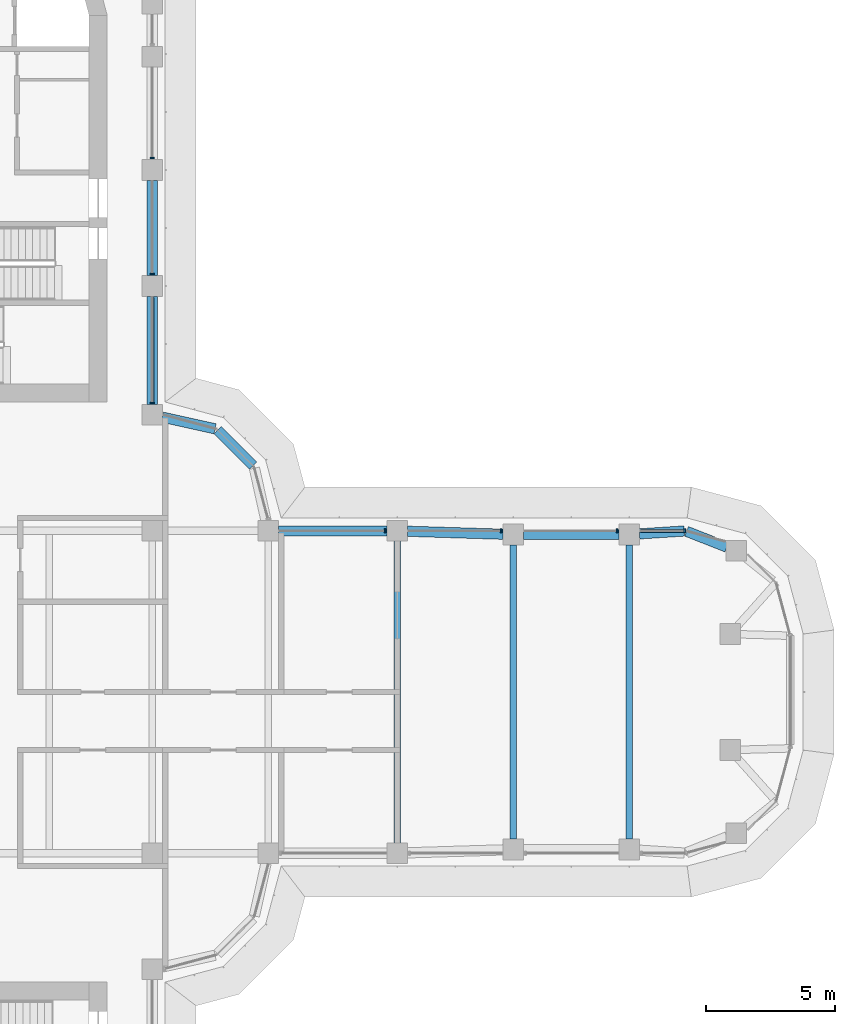
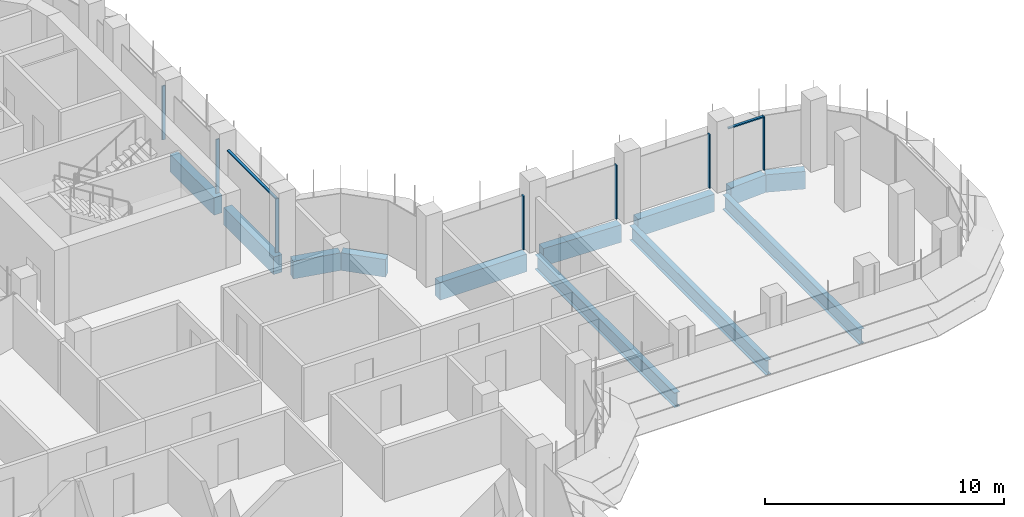
# One storey, part 8 of 19: 12 beams, 9 members, 2 elements without a shape of their own.
"""IFC4 building model written with IfcOpenShell, lengths in metres."""

from ifc_helpers import new_model, si_unit, direction, frame, origin, origin_2d, place, context, subcontext, project, spatial, polyline, rectangle, i_section, outline, extrude, source, transform, mapped, material, material_profile, profile_set, type_object, element, aggregate, save


model = new_model("IFC4")

# Units and contexts
model_context = context("Model", 3, precision=1e-05, world=origin(), true_north=direction((0.0, 1.0)))
body_context = subcontext(model_context, "Body", "Model", "MODEL_VIEW")
ifc_project = project(units=[si_unit("LENGTHUNIT", "METRE"), si_unit("AREAUNIT", "SQUARE_METRE"), si_unit("VOLUMEUNIT", "CUBIC_METRE"), si_unit("PLANEANGLEUNIT", "RADIAN"), si_unit("MASSUNIT", "GRAM", prefix="KILO")], contexts=[model_context])

# Site, building, storey
site_placement = place(None, origin())
site = spatial("IfcSite", under=ifc_project, at=site_placement, CompositionType="ELEMENT")
building_placement = place(site_placement, origin())
building = spatial("IfcBuilding", under=site, at=building_placement, Name="Zarbagh Exchange Tower", CompositionType="ELEMENT")
storey_placement = place(building_placement, frame((0.0, 0.0, 160.0)))
storey = spatial("IfcBuildingStorey", under=building, at=storey_placement, Name="L38", CompositionType="ELEMENT", Elevation=160.0)

# Beams
ifc_material_1 = material(Name="Steel ASTM A992 Gr 50", Category="steel")
ifc_material_profile_1 = material_profile(ifc_material_1, i_section(OverallWidth=0.26416015625, OverallDepth=0.749267578125, WebThickness=0.011962890625, FlangeThickness=0.015380859375, at=origin_2d()), Name="W30X90")
ifc_profile_set_1 = profile_set([ifc_material_profile_1], Name="Steel ASTM A992 Gr 50")
beam_type_1 = type_object("IfcBeamType", Name="Floor beam W30X90", PredefinedType="BEAM", material=ifc_profile_set_1)
beam_1_placement = place(storey_placement, frame((15.75, -5.85009765625, -0.524658203125), z_axis=(0.0, 1.0, 0.0), x_axis=(-1.0, 0.0, 0.0)))
element("IfcBeam", 1, at=beam_1_placement, inside=storey, type_object=beam_type_1, Name="Steel floor beam", PredefinedType="BEAM", context=body_context, shape_type="SweptSolid", body=[
    extrude(i_section(OverallWidth=0.26416015625, OverallDepth=0.749267578125, WebThickness=0.011962890625, FlangeThickness=0.015380859375, at=origin_2d()), origin(), (0.0, 0.0, 1.0), 11.7001953125),
])
for number, where, z_axis, x_axis, name in (
    (2, (20.25, -5.7099609375, -0.524658203125), (0.0, 1.0, 0.0), (-1.0, 0.0, 0.0), "Steel floor beam"),
    (3, (24.75, -5.7099609375, -0.524658203125), (0.0, 1.0, 0.0), (-1.0, 0.0, 0.0), "Steel floor beam"),
):
    element("IfcBeam", number, at=place(storey_placement, frame(where, z_axis=z_axis, x_axis=x_axis)), inside=storey, type_object=beam_type_1, Name=name, PredefinedType="BEAM", context=body_context, shape_type="SweptSolid", body=[
        extrude(i_section(OverallWidth=0.26416015625, OverallDepth=0.749267578125, WebThickness=0.011962890625, FlangeThickness=0.015380859375, at=origin_2d()), origin(), (0.0, 0.0, 1.0), 11.419921875),
    ])
ifc_material_2 = material(Name="Concrete C50/60", Category="concrete")
ifc_material_profile_2 = material_profile(ifc_material_2, rectangle(XDim=0.39990234375, YDim=0.89990234375, at=origin_2d()), Name="RC spandrel beam 400 x 900 C50/60")
ifc_profile_set_2 = profile_set([ifc_material_profile_2], Name="Concrete C50/60")
beam_type_2 = type_object("IfcBeamType", Name="RC spandrel beam 400 x 900 C50/60", PredefinedType="SPANDREL", material=ifc_profile_set_2)
beam_2_placement = place(storey_placement, frame((6.25, 19.85009765625, -0.60009765625), z_axis=(0.0, -1.0, 0.0), x_axis=(1.0, 0.0, 0.0)))
element("IfcBeam", 4, at=beam_2_placement, inside=storey, type_object=beam_type_2, Name="RC spandrel beam", PredefinedType="SPANDREL", context=body_context, shape_type="SweptSolid", body=[
    extrude(rectangle(XDim=0.39990234375, YDim=0.89990234375, at=origin_2d()), origin(), (0.0, 0.0, 1.0), 3.7001953125),
])
beam_3_placement = place(storey_placement, frame((6.25, 15.35009765625, -0.60009765625), z_axis=(0.0, -1.0, 0.0), x_axis=(1.0, 0.0, 0.0)))
element("IfcBeam", 5, at=beam_3_placement, inside=storey, type_object=beam_type_2, Name="RC spandrel beam", PredefinedType="SPANDREL", context=body_context, shape_type="SweptSolid", body=[
    extrude(rectangle(XDim=0.39990234375, YDim=0.89990234375, at=origin_2d()), origin(), (0.0, 0.0, 1.0), 4.2001953125),
])
beam_4_placement = place(storey_placement, frame((6.640625, 10.66357421875, -0.60009765625), z_axis=(0.976384278741, -0.216041061437, 0.0), x_axis=(0.216041061437, 0.976384278741, 0.0)))
element("IfcBeam", 6, at=beam_4_placement, inside=storey, type_object=beam_type_2, Name="RC spandrel beam", PredefinedType="SPANDREL", context=body_context, shape_type="SweptSolid", body=[
    extrude(rectangle(XDim=0.39990234375, YDim=0.89990234375, at=origin_2d()), origin(), (0.0, 0.0, 1.0), 2.0927734375),
])
beam_5_placement = place(storey_placement, frame((8.782470703125, 10.15771484375, -0.60009765625), z_axis=(0.707106781187, -0.707106781187, 0.0), x_axis=(0.707106781187, 0.707106781187, 0.0)))
element("IfcBeam", 7, at=beam_5_placement, inside=storey, type_object=beam_type_2, Name="RC spandrel beam", PredefinedType="SPANDREL", context=body_context, shape_type="SweptSolid", body=[
    extrude(rectangle(XDim=0.39990234375, YDim=0.89990234375, at=origin_2d()), origin(), (0.0, 0.0, 1.0), 1.94482421875),
])
beam_6_placement = place(storey_placement, frame((11.14990234375, 6.25, -0.60009765625), z_axis=(1.0, 0.0, 0.0), x_axis=(0.0, 1.0, 0.0)))
element("IfcBeam", 8, at=beam_6_placement, inside=storey, type_object=beam_type_2, Name="RC spandrel beam", PredefinedType="SPANDREL", context=body_context, shape_type="SweptSolid", body=[
    extrude(rectangle(XDim=0.39990234375, YDim=0.89990234375, at=origin_2d()), origin(), (0.0, 0.0, 1.0), 4.2001953125),
])
beam_7_placement = place(storey_placement, frame((16.14990234375, 6.237548828125, -0.60009765625), z_axis=(0.999515416033, -0.031127690444, 0.0), x_axis=(0.031127690444, 0.999515416033, 0.0)))
element("IfcBeam", 9, at=beam_7_placement, inside=storey, type_object=beam_type_2, Name="RC spandrel beam", PredefinedType="SPANDREL", context=body_context, shape_type="SweptSolid", body=[
    extrude(rectangle(XDim=0.39990234375, YDim=0.89990234375, at=origin_2d()), origin(), (0.0, 0.0, 1.0), 3.701904296875),
])
beam_8_placement = place(storey_placement, frame((20.64990234375, 6.110107421875, -0.60009765625), z_axis=(1.0, 0.0, 0.0), x_axis=(0.0, 1.0, 0.0)))
element("IfcBeam", 10, at=beam_8_placement, inside=storey, type_object=beam_type_2, Name="RC spandrel beam", PredefinedType="SPANDREL", context=body_context, shape_type="SweptSolid", body=[
    extrude(rectangle(XDim=0.39990234375, YDim=0.89990234375, at=origin_2d()), origin(), (0.0, 0.0, 1.0), 3.7001953125),
])
beam_9_placement = place(storey_placement, frame((25.149169921875, 6.135498046875, -0.60009765625), z_axis=(0.997942679773, 0.064112462805, 0.0), x_axis=(-0.064112462805, 0.997942679773, 0.0)))
element("IfcBeam", 11, at=beam_9_placement, inside=storey, type_object=beam_type_2, Name="RC spandrel beam", PredefinedType="SPANDREL", context=body_context, shape_type="SweptSolid", body=[
    extrude(rectangle(XDim=0.39990234375, YDim=0.89990234375, at=origin_2d()), origin(), (0.0, 0.0, 1.0), 1.744140625),
])
beam_10_placement = place(storey_placement, frame((26.9755859375, 6.233642578125, -0.60009765625), z_axis=(0.930818758612, -0.36548110569, 0.0), x_axis=(0.36548110569, 0.930818758612, 0.0)))
element("IfcBeam", 12, at=beam_10_placement, inside=storey, type_object=beam_type_2, Name="RC spandrel beam", PredefinedType="SPANDREL", context=body_context, shape_type="SweptSolid", body=[
    extrude(rectangle(XDim=0.39990234375, YDim=0.89990234375, at=origin_2d()), origin(), (0.0, 0.0, 1.0), 1.676025390625),
])

# Curtain wall, members
ifc_material_3 = material(Name="Anodised aluminium frame and glazing", Category="aluminium")
curtain_wall_type = type_object("IfcCurtainWallType", Name="CWB Ribbon glazing, upper zones", PredefinedType="NOTDEFINED", material=ifc_material_3)
curtain_wall_1_placement = place(storey_placement, origin())
curtain_wall_1 = element("IfcCurtainWall", 13, at=curtain_wall_1_placement, inside=storey, type_object=curtain_wall_type, Name="CWB16 curtain wall", PredefinedType="NOTDEFINED")
ifc_material_4 = material(Name="Anodised aluminium frame", Category="aluminium")
member_type_1 = type_object("IfcMemberType", Name="TRB Transom, anodised aluminium frame", PredefinedType="USERDEFINED", material=ifc_material_4)
shared_shape_1 = source(origin(), body_context, "Body", "SweptSolid", [
    extrude(outline(polyline([(-0.06005859375, -0.06005859375), (0.0, -0.06005859375), (0.0, 0.06005859375), (-0.06005859375, 0.06005859375), (-0.06005859375, -0.06005859375)])), origin(), (0.0, 0.0, 1.0), 1.68408203125),
])
placement = place(storey_placement, origin())
member_1 = element("IfcMember", 14, at=placement, type_object=member_type_1, Name="CWB16 transom 1.1", ObjectType="TRANSOM", PredefinedType="USERDEFINED", context=body_context, shape_type="MappedRepresentation", body=[
    mapped(shared_shape_1, transform((26.874267578125, 6.25, 2.75), x_axis=(0.0, 0.0, 1.0), y_axis=(0.0, 1.0, 0.0), z_axis=(-1.0, 0.0, 0.0))),
])
member_type_2 = type_object("IfcMemberType", Name="MUB Mullion, anodised aluminium frame", PredefinedType="MULLION", material=ifc_material_4)
shared_shape_2 = source(origin(), body_context, "Body", "SweptSolid", [
    extrude(outline(polyline([(0.0, -0.080078125), (0.06005859375, -0.080078125), (0.06005859375, 0.080078125), (0.0, 0.080078125), (0.0, -0.080078125)])), origin(), (0.0, 0.0, 1.0), 2.75),
])
member_2 = element("IfcMember", 15, at=placement, type_object=member_type_2, Name="CWB16 mullion 1.1", PredefinedType="MULLION", context=body_context, shape_type="MappedRepresentation", body=[
    mapped(shared_shape_2, transform((26.93408203125, 6.25, 0.0), x_axis=(-1.0, 0.0, 0.0), y_axis=(0.0, -1.0, 0.0), z_axis=(0.0, 0.0, 1.0))),
])
member_3 = element("IfcMember", 16, at=placement, type_object=member_type_2, Name="CWB16 mullion 2.1", PredefinedType="MULLION", context=body_context, shape_type="MappedRepresentation", body=[
    mapped(shared_shape_2, transform((24.31005859375, 6.25, 0.0), x_axis=(-1.0, 0.0, 0.0), y_axis=(0.0, -1.0, 0.0), z_axis=(0.0, 0.0, 1.0))),
])
member_4 = element("IfcMember", 17, at=placement, type_object=member_type_2, Name="CWB16 mullion 3.1", PredefinedType="MULLION", context=body_context, shape_type="MappedRepresentation", body=[
    mapped(shared_shape_2, transform((19.81005859375, 6.25, 0.0), x_axis=(-1.0, 0.0, 0.0), y_axis=(0.0, -1.0, 0.0), z_axis=(0.0, 0.0, 1.0))),
])
member_5 = element("IfcMember", 18, at=placement, type_object=member_type_2, Name="CWB16 mullion 4.1", PredefinedType="MULLION", context=body_context, shape_type="MappedRepresentation", body=[
    mapped(shared_shape_2, transform((15.31005859375, 6.25, 0.0), x_axis=(-1.0, 0.0, 0.0), y_axis=(0.0, -1.0, 0.0), z_axis=(0.0, 0.0, 1.0))),
])
aggregate(curtain_wall_1, [member_2, member_1, member_3, member_4, member_5])

curtain_wall_2_placement = place(storey_placement, origin())
curtain_wall_2 = element("IfcCurtainWall", 19, at=curtain_wall_2_placement, inside=storey, type_object=curtain_wall_type, Name="CWB20 curtain wall", PredefinedType="NOTDEFINED")
member_6 = element("IfcMember", 20, at=placement, type_object=member_type_2, Name="CWB20 mullion 1.1", PredefinedType="MULLION", context=body_context, shape_type="MappedRepresentation", body=[
    mapped(shared_shape_2, transform((6.25, 11.18994140625, 0.0), x_axis=(0.0, 1.0, 0.0), y_axis=(-1.0, 0.0, 0.0), z_axis=(0.0, 0.0, 1.0))),
])
member_7 = element("IfcMember", 21, at=placement, type_object=member_type_2, Name="CWB20 mullion 2.1", PredefinedType="MULLION", context=body_context, shape_type="MappedRepresentation", body=[
    mapped(shared_shape_2, transform((6.25, 16.18994140625, 0.0), x_axis=(0.0, 1.0, 0.0), y_axis=(-1.0, 0.0, 0.0), z_axis=(0.0, 0.0, 1.0))),
])
member_8 = element("IfcMember", 22, at=placement, type_object=member_type_2, Name="CWB20 mullion 3.1", PredefinedType="MULLION", context=body_context, shape_type="MappedRepresentation", body=[
    mapped(shared_shape_2, transform((6.25, 20.68994140625, 0.0), x_axis=(0.0, 1.0, 0.0), y_axis=(-1.0, 0.0, 0.0), z_axis=(0.0, 0.0, 1.0))),
])
shared_shape_3 = source(origin(), body_context, "Body", "SweptSolid", [
    extrude(outline(polyline([(-0.06005859375, -0.06005859375), (0.0, -0.06005859375), (0.0, 0.06005859375), (-0.06005859375, 0.06005859375), (-0.06005859375, -0.06005859375)])), origin(), (0.0, 0.0, 1.0), 4.06005859375),
])
member_9 = element("IfcMember", 23, at=placement, type_object=member_type_1, Name="CWB20 transom 1.1", ObjectType="TRANSOM", PredefinedType="USERDEFINED", context=body_context, shape_type="MappedRepresentation", body=[
    mapped(shared_shape_3, transform((6.25, 11.25, 2.75), x_axis=(0.0, 0.0, 1.0), y_axis=(1.0, 0.0, 0.0), z_axis=(0.0, 1.0, 0.0))),
])
aggregate(curtain_wall_2, [member_6, member_9, member_7, member_8])

save(model, "model.ifc")
